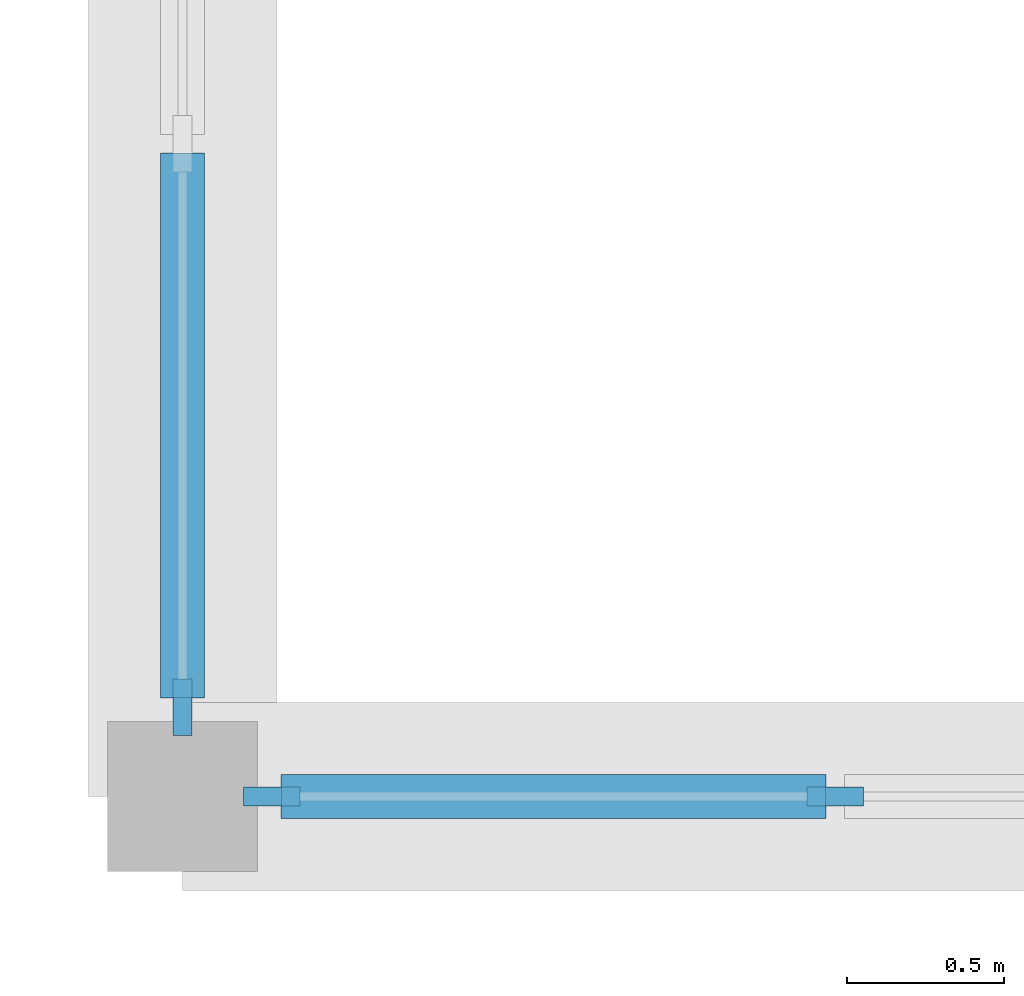
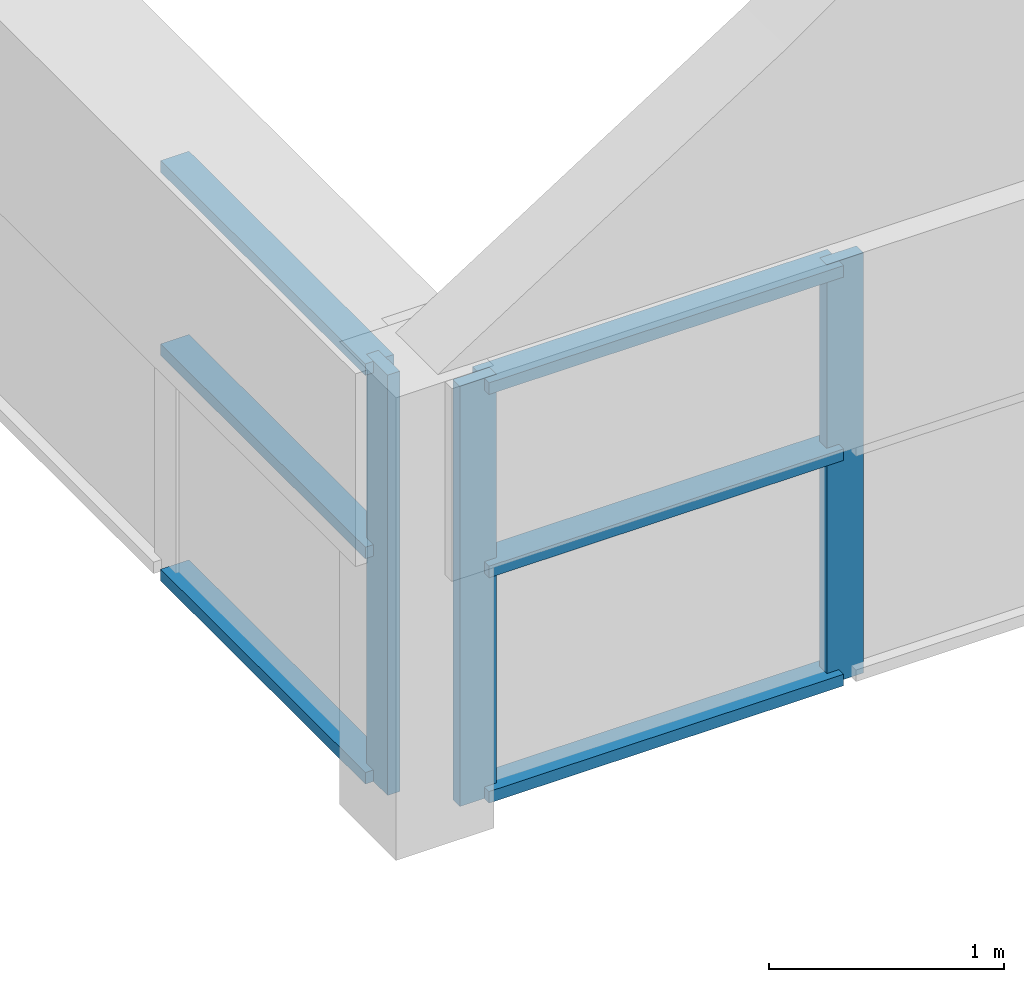
# One storey, part 2 of 45: 9 members, 2 elements without a shape of their own.
"""IFC4 building model written with IfcOpenShell, lengths in metres."""

import ifcopenshell
import ifcopenshell.guid

model = None  # the IFC model being written
_history = None  # IfcOwnerHistory: only IFC2X3 demands one
_inside = {}  # id of a spatial element -> (the spatial element, [elements in it])
_under = {}  # id of a project, library or spatial element -> (it, [spatial elements below it])
_declared = {}  # id of a project -> (the project, [libraries it declares])
_typed = {}  # id of a type object -> (the type object, [elements of that type])
_made_of = {}  # id of a material, layer set ... -> (it, [elements and type objects made of it])


def new_model(schema):
    """Start an empty IFC model of exactly this schema.

    Asked for "IFC4X3", IfcOpenShell would pick the latest addendum, in which some entities
    have other attributes; the version numbers below select the first issue.
    IFC2X3 requires an IfcOwnerHistory on every rooted entity: one is made here for all.
    """
    global model, _history
    if schema == "IFC4X3":
        model = ifcopenshell.file(schema_version=(4, 3, 0, 0))
    else:
        model = ifcopenshell.file(schema=schema)
    _inside.clear()
    _under.clear()
    _declared.clear()
    _typed.clear()
    _made_of.clear()
    _history = None
    if model.schema == "IFC2X3":
        org = make("IfcOrganization", Name="unknown")
        user = make(
            "IfcPersonAndOrganization",
            ThePerson=make("IfcPerson", FamilyName="unknown"),
            TheOrganization=org,
        )
        app = make(
            "IfcApplication",
            ApplicationDeveloper=org,
            Version="unknown",
            ApplicationFullName="unknown",
            ApplicationIdentifier="unknown",
        )
        _history = make(
            "IfcOwnerHistory",
            OwningUser=user,
            OwningApplication=app,
            ChangeAction="ADDED",
            CreationDate=0,
        )
    return model


def make(cls, **values):
    """One entity of the class cls with the attributes given. An attribute that is None is left unset."""
    return model.create_entity(
        cls, **{name: value for name, value in values.items() if value is not None}
    )


def rooted(cls, **values):
    """An entity with a GlobalId (a new one), such as an element, a storey or a relation."""
    return make(cls, GlobalId=ifcopenshell.guid.new(), OwnerHistory=_history, **values)


def si_unit(unit_type, name, prefix=None):
    """IfcSIUnit, for example si_unit("LENGTHUNIT", "METRE", prefix="MILLI")."""
    return make("IfcSIUnit", UnitType=unit_type, Prefix=prefix, Name=name)


def assignment(units):
    """IfcUnitAssignment: the units of a project."""
    return None if units is None else make("IfcUnitAssignment", Units=units)


def point(xyz):
    """IfcCartesianPoint."""
    return None if xyz is None else make("IfcCartesianPoint", Coordinates=xyz)


def direction(xyz):
    """IfcDirection."""
    return None if xyz is None else make("IfcDirection", DirectionRatios=xyz)


def frame(location, z_axis=None, x_axis=None):
    """IfcAxis2Placement3D, a coordinate frame: its origin and axes. An axis left out is left unset."""
    return make(
        "IfcAxis2Placement3D",
        Location=point(location),
        Axis=direction(z_axis),
        RefDirection=direction(x_axis),
    )


def frame_2d(location, x_axis=None):
    """IfcAxis2Placement2D, a coordinate frame in the plane: its origin and x axis."""
    return make(
        "IfcAxis2Placement2D", Location=point(location), RefDirection=direction(x_axis)
    )


def origin():
    """The frame at (0, 0, 0) with its axes left unset."""
    return frame((0.0, 0.0, 0.0))


def origin_2d():
    """The frame at (0, 0) in the plane with its x axis left unset."""
    return frame_2d((0.0, 0.0))


def place(relative_to, where):
    """IfcLocalPlacement: puts the frame where relative to a parent placement (None: the world)."""
    return make(
        "IfcLocalPlacement", PlacementRelTo=relative_to, RelativePlacement=where
    )


def context(
    kind, dimensions, precision=None, world=None, true_north=None, identifier=None
):
    """IfcGeometricRepresentationContext, for example the 3D "Model" context."""
    return make(
        "IfcGeometricRepresentationContext",
        ContextIdentifier=identifier,
        ContextType=kind,
        CoordinateSpaceDimension=dimensions,
        Precision=precision,
        WorldCoordinateSystem=world,
        TrueNorth=true_north,
    )


def subcontext(parent, identifier, kind, view, scale=None):
    """IfcGeometricRepresentationSubContext, for example "Body" below "Model"."""
    return make(
        "IfcGeometricRepresentationSubContext",
        ContextIdentifier=identifier,
        ContextType=kind,
        ParentContext=parent,
        TargetScale=scale,
        TargetView=view,
    )


def project(units=None, contexts=None):
    """IfcProject with its units and contexts."""
    return rooted(
        "IfcProject",
        Name="project",
        RepresentationContexts=contexts,
        UnitsInContext=assignment(units),
    )


def spatial(cls, under=None, at=None, **own):
    """A site, building, storey or space (cls), placed at a placement, below another one or the project."""
    s = rooted(cls, ObjectPlacement=at, **own)
    if under is not None:
        _under.setdefault(under.id(), (under, []))[1].append(s)
    return s


def profile(cls, at=None, kind="AREA", **sizes):
    """A parametric profile (cls). Its sizes go by their IFC names, for example OverallWidth=200.0."""
    return make(cls, ProfileType=kind, Position=at, **sizes)


def rectangle(**sizes):
    """IfcRectangleProfileDef."""
    return profile("IfcRectangleProfileDef", **sizes)


def extrude(swept, where, along, depth):
    """IfcExtrudedAreaSolid: the profile swept, set in the frame where, extruded along a direction by depth."""
    return make(
        "IfcExtrudedAreaSolid",
        SweptArea=swept,
        Position=where,
        ExtrudedDirection=direction(along),
        Depth=depth,
    )


def shape(context_of_items, identifier, shape_type, items):
    """IfcShapeRepresentation: the items that make up one representation, for example the "Body"."""
    return make(
        "IfcShapeRepresentation",
        ContextOfItems=context_of_items,
        RepresentationIdentifier=identifier,
        RepresentationType=shape_type,
        Items=items,
    )


def material(Name=None, Category=None):
    """IfcMaterial."""
    return make("IfcMaterial", Name=Name, Category=Category)


def layer(
    of_material, thickness, ventilated=None, Name=None, Category=None, Priority=None
):
    """IfcMaterialLayer: one layer of a wall or slab, of a material (None: an air gap)."""
    return make(
        "IfcMaterialLayer",
        Material=of_material,
        LayerThickness=thickness,
        IsVentilated=ventilated,
        Name=Name,
        Category=Category,
        Priority=Priority,
    )


def layer_set(layers, Name=None):
    """IfcMaterialLayerSet."""
    return make("IfcMaterialLayerSet", MaterialLayers=layers, LayerSetName=Name)


def material_profile(
    of_material, cross_section, Name=None, Category=None, Priority=None
):
    """IfcMaterialProfile: a cross section and its material."""
    return make(
        "IfcMaterialProfile",
        Name=Name,
        Material=of_material,
        Profile=cross_section,
        Priority=Priority,
        Category=Category,
    )


def profile_set(profiles, Name=None, composite=None):
    """IfcMaterialProfileSet."""
    return make(
        "IfcMaterialProfileSet",
        Name=Name,
        MaterialProfiles=profiles,
        CompositeProfile=composite,
    )


def made_of(thing, what):
    """Note that an element or type object is made of a material, layer set ...; save() writes the relation."""
    if what is not None:
        _made_of.setdefault(what.id(), (what, []))[1].append(thing)
    return thing


def type_object(cls, material=None, **own):
    """A type object (cls), such as IfcWallType, which elements share."""
    return made_of(rooted(cls, **own), material)


def element(
    cls,
    number,
    at=None,
    inside=None,
    cuts=None,
    type_object=None,
    material=None,
    context=None,
    identifier="Body",
    shape_type=None,
    held_by="IfcProductDefinitionShape",
    body=None,
    shapes=None,
    **own,
):
    """One element of the class cls, such as IfcWall. Its Tag is "e" and its number.

    at: its placement. inside: the storey or other place that contains it. cuts: it is an
    opening in that element (IfcRelVoidsElement). A single representation is given by context,
    identifier, shape_type and body (its items); several are given by shapes. held_by: the class
    of the entity that holds the representations. save() writes the other relations.
    """
    e = rooted(cls, Tag="e%d" % number, ObjectPlacement=at, **own)
    if body is not None:
        shapes = [shape(context, identifier, shape_type, body)]
    if shapes is not None:
        e.Representation = make(held_by, Representations=shapes)
    if inside is not None:
        _inside.setdefault(inside.id(), (inside, []))[1].append(e)
    if cuts is not None:
        rooted(
            "IfcRelVoidsElement", RelatingBuildingElement=cuts, RelatedOpeningElement=e
        )
    if type_object is not None:
        _typed.setdefault(type_object.id(), (type_object, []))[1].append(e)
    return made_of(e, material)


def aggregate(whole, parts):
    """IfcRelAggregates: a whole, such as a stair, and the parts it consists of."""
    return rooted("IfcRelAggregates", RelatingObject=whole, RelatedObjects=parts)


def save(model, path):
    """Write the relations noted so far, then the file.

    IfcRelAggregates (storeys below a building ...), IfcRelContainedInSpatialStructure (elements
    in a storey), IfcRelDefinesByType, IfcRelAssociatesMaterial and IfcRelDeclares: one each for
    every whole, place, type object, material and project.
    """
    for whole, parts in _under.values():
        aggregate(whole, parts)
    for where, things in _inside.values():
        rooted(
            "IfcRelContainedInSpatialStructure",
            RelatedElements=things,
            RelatingStructure=where,
        )
    for kind, things in _typed.values():
        rooted("IfcRelDefinesByType", RelatedObjects=things, RelatingType=kind)
    for what, things in _made_of.values():
        rooted("IfcRelAssociatesMaterial", RelatedObjects=things, RelatingMaterial=what)
    for by, libraries in _declared.values():
        rooted("IfcRelDeclares", RelatingContext=by, RelatedDefinitions=libraries)
    model.write(path)


model = new_model("IFC4")

# Units and contexts
model_context = context("Model", 3, precision=1e-05, world=origin(), true_north=direction((0.0, 1.0)))
body_context = subcontext(model_context, "Body", "Model", "MODEL_VIEW")
ifc_project = project(units=[si_unit("LENGTHUNIT", "METRE"), si_unit("AREAUNIT", "SQUARE_METRE"), si_unit("VOLUMEUNIT", "CUBIC_METRE"), si_unit("PLANEANGLEUNIT", "RADIAN"), si_unit("MASSUNIT", "GRAM", prefix="KILO")], contexts=[model_context])

# Site, building, storey
site_placement = place(None, origin())
site = spatial("IfcSite", under=ifc_project, at=site_placement, CompositionType="ELEMENT")
building_placement = place(site_placement, origin())
building = spatial("IfcBuilding", under=site, at=building_placement, Name="Solvane Community Centre", CompositionType="ELEMENT")
storey_placement = place(building_placement, frame((0.0, 0.0, 13.800048828125)))
storey = spatial("IfcBuildingStorey", under=building, at=storey_placement, Name="L03", CompositionType="ELEMENT", Elevation=13.800048828125)

# Curtain wall, member
ifc_material = material(Name="Anodised bronze aluminium AW-6063 T6", Category="aluminium")
ifc_layer = layer(ifc_material, 0.179931640625)
ifc_layer_set = layer_set([ifc_layer], Name="Anodised bronze aluminium AW-6063 T6")
curtain_wall_type = type_object("IfcCurtainWallType", Name="Hall Translucent Upper Curtain Wall [55x22dm]", PredefinedType="NOTDEFINED", material=ifc_layer_set)
curtain_wall_1_placement = place(storey_placement, origin())
curtain_wall_1 = element("IfcCurtainWall", 1, at=curtain_wall_1_placement, inside=storey, type_object=curtain_wall_type, Name="Curtain Wall CW-L03-360_417-135", PredefinedType="NOTDEFINED")
ifc_material_profile_1 = material_profile(ifc_material, rectangle(XDim=0.06005859375, YDim=0.179931640625, at=origin_2d()), Name="CW-M 60x180")
ifc_profile_set_1 = profile_set([ifc_material_profile_1], Name="Anodised bronze aluminium AW-6063 T6")
member_type_1 = type_object("IfcMemberType", Name="Hall Mullion 60x180", PredefinedType="MULLION", material=ifc_profile_set_1)
member_1_placement = place(storey_placement, frame((36.0, 36.284912109375, 0.0), z_axis=(0.0, 0.0, 1.0), x_axis=(1.0, 0.0, 0.0)))
member_1 = element("IfcMember", 2, at=member_1_placement, type_object=member_type_1, Name="CW01-55x22 mullion 4", PredefinedType="MULLION", context=body_context, shape_type="SweptSolid", body=[
    extrude(rectangle(XDim=0.06005859375, YDim=0.179931640625, at=origin_2d()), origin(), (0.0, 0.0, 1.0), 2.179931640625),
])

# Curtain wall, members
curtain_wall_2_placement = place(storey_placement, origin())
curtain_wall_2 = element("IfcCurtainWall", 3, at=curtain_wall_2_placement, inside=storey, type_object=curtain_wall_type, Name="Curtain Wall CW-L03-417_360-157", PredefinedType="NOTDEFINED")
member_2_placement = place(storey_placement, frame((38.0849609375, 36.0, 0.0), z_axis=(0.0, 0.0, 1.0), x_axis=(0.0, -1.0, 0.0)))
member_2 = element("IfcMember", 4, at=member_2_placement, type_object=member_type_1, Name="CW01-55x22 mullion 3", PredefinedType="MULLION", context=body_context, shape_type="SweptSolid", body=[
    extrude(rectangle(XDim=0.06005859375, YDim=0.179931640625, at=origin_2d()), origin(), (0.0, 0.0, 1.0), 2.179931640625),
])
member_3_placement = place(storey_placement, frame((36.284912109375, 36.0, 0.0), z_axis=(0.0, 0.0, 1.0), x_axis=(0.0, -1.0, 0.0)))
member_3 = element("IfcMember", 5, at=member_3_placement, type_object=member_type_1, Name="CW01-55x22 mullion 4", PredefinedType="MULLION", context=body_context, shape_type="SweptSolid", body=[
    extrude(rectangle(XDim=0.06005859375, YDim=0.179931640625, at=origin_2d()), origin(), (0.0, 0.0, 1.0), 2.179931640625),
])

# Member
ifc_material_profile_2 = material_profile(ifc_material, rectangle(XDim=0.139892578125, YDim=0.06005859375, at=origin_2d()), Name="CW-T 60x140")
ifc_profile_set_2 = profile_set([ifc_material_profile_2], Name="Anodised bronze aluminium AW-6063 T6")
member_type_2 = type_object("IfcMemberType", Name="Hall Transom 60x140", PredefinedType="USERDEFINED", material=ifc_profile_set_2)
member_4_placement = place(storey_placement, frame((36.0, 38.054931640625, 0.030029296875), z_axis=(0.0, -1.0, 0.0), x_axis=(1.0, 0.0, 0.0)))
member_4 = element("IfcMember", 6, at=member_4_placement, type_object=member_type_2, Name="CW01-55x22 transom 3.1", ObjectType="TRANSOM", PredefinedType="USERDEFINED", context=body_context, shape_type="SweptSolid", body=[
    extrude(rectangle(XDim=0.139892578125, YDim=0.06005859375, at=origin_2d()), origin(), (0.0, 0.0, 1.0), 1.739990234375),
])

member_5_placement = place(storey_placement, frame((36.0, 38.054931640625, 1.198974609375), z_axis=(0.0, -1.0, 0.0), x_axis=(1.0, 0.0, 0.0)))
member_5 = element("IfcMember", 7, at=member_5_placement, type_object=member_type_2, Name="CW01-55x22 transom 3.2", ObjectType="TRANSOM", PredefinedType="USERDEFINED", context=body_context, shape_type="SweptSolid", body=[
    extrude(rectangle(XDim=0.139892578125, YDim=0.06005859375, at=origin_2d()), origin(), (0.0, 0.0, 1.0), 1.739990234375),
])

member_6_placement = place(storey_placement, frame((36.0, 38.054931640625, 2.14990234375), z_axis=(0.0, -1.0, 0.0), x_axis=(1.0, 0.0, 0.0)))
member_6 = element("IfcMember", 8, at=member_6_placement, type_object=member_type_2, Name="CW01-55x22 transom 3.3", ObjectType="TRANSOM", PredefinedType="USERDEFINED", context=body_context, shape_type="SweptSolid", body=[
    extrude(rectangle(XDim=0.139892578125, YDim=0.06005859375, at=origin_2d()), origin(), (0.0, 0.0, 1.0), 1.739990234375),
])

aggregate(curtain_wall_1, [member_1, member_4, member_5, member_6])

member_7_placement = place(storey_placement, frame((38.054931640625, 36.0, 0.030029296875), z_axis=(-1.0, 0.0, 0.0), x_axis=(0.0, -1.0, 0.0)))
member_7 = element("IfcMember", 9, at=member_7_placement, type_object=member_type_2, Name="CW01-55x22 transom 3.1", ObjectType="TRANSOM", PredefinedType="USERDEFINED", context=body_context, shape_type="SweptSolid", body=[
    extrude(rectangle(XDim=0.139892578125, YDim=0.06005859375, at=origin_2d()), origin(), (0.0, 0.0, 1.0), 1.739990234375),
])

member_8_placement = place(storey_placement, frame((38.054931640625, 36.0, 1.198974609375), z_axis=(-1.0, 0.0, 0.0), x_axis=(0.0, -1.0, 0.0)))
member_8 = element("IfcMember", 10, at=member_8_placement, type_object=member_type_2, Name="CW01-55x22 transom 3.2", ObjectType="TRANSOM", PredefinedType="USERDEFINED", context=body_context, shape_type="SweptSolid", body=[
    extrude(rectangle(XDim=0.139892578125, YDim=0.06005859375, at=origin_2d()), origin(), (0.0, 0.0, 1.0), 1.739990234375),
])

member_9_placement = place(storey_placement, frame((38.054931640625, 36.0, 2.14990234375), z_axis=(-1.0, 0.0, 0.0), x_axis=(0.0, -1.0, 0.0)))
member_9 = element("IfcMember", 11, at=member_9_placement, type_object=member_type_2, Name="CW01-55x22 transom 3.3", ObjectType="TRANSOM", PredefinedType="USERDEFINED", context=body_context, shape_type="SweptSolid", body=[
    extrude(rectangle(XDim=0.139892578125, YDim=0.06005859375, at=origin_2d()), origin(), (0.0, 0.0, 1.0), 1.739990234375),
])

aggregate(curtain_wall_2, [member_2, member_3, member_7, member_8, member_9])

save(model, "model.ifc")
